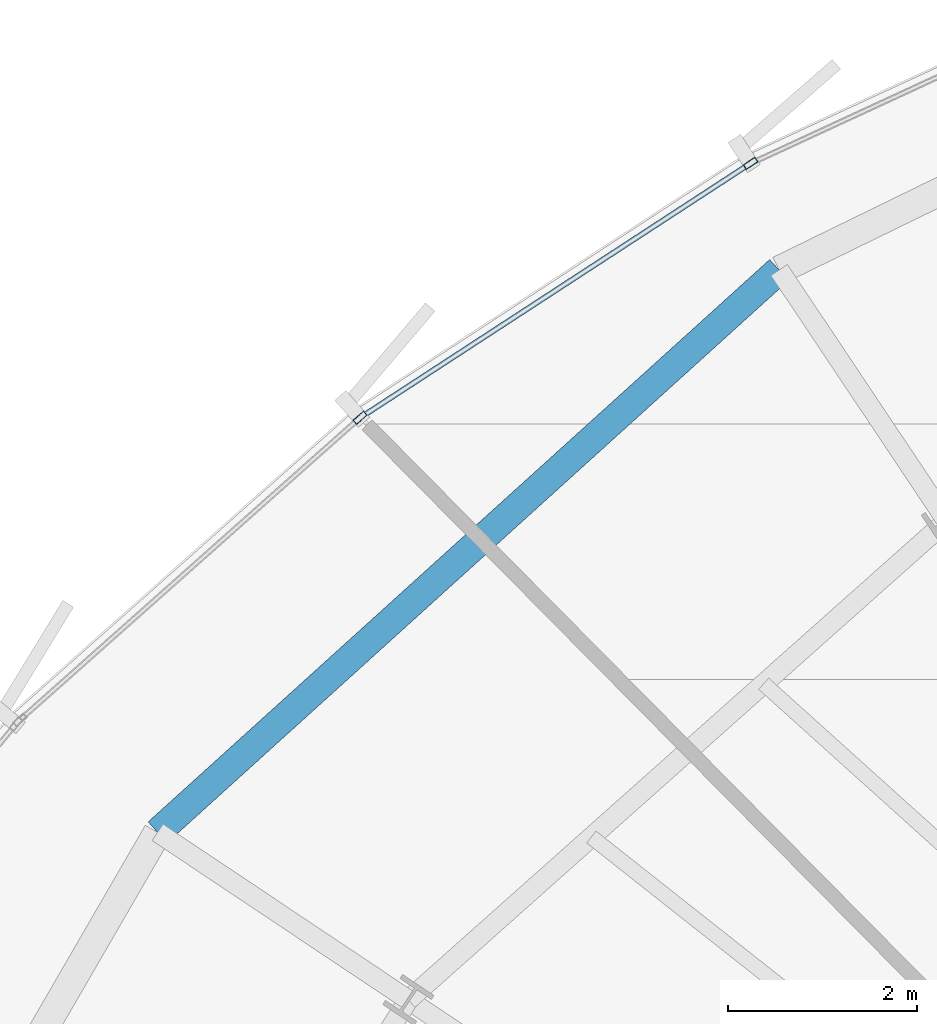
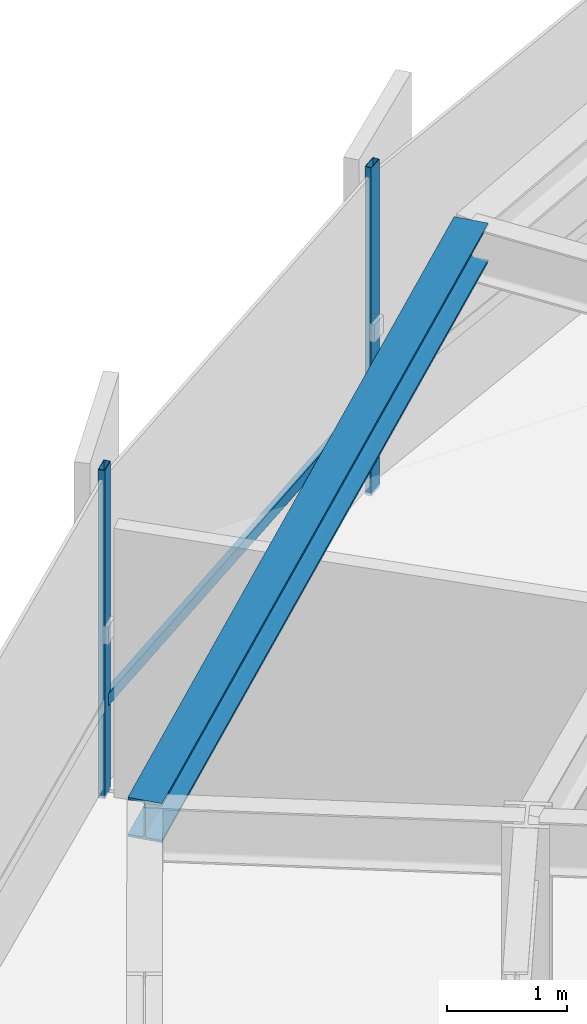
# One storey, part 19 of 33: 3 members, 1 beam, 1 element without a shape of its own.
"""IFC4 building model written with IfcOpenShell, lengths in metres."""

from ifc_helpers import new_model, si_unit, direction, frame, origin, origin_2d, place, context, subcontext, project, spatial, hollow_rectangle, i_section, extrude, source, transform, mapped, material, layer, layer_set, material_profile, profile_set, type_object, element, aggregate, save


model = new_model("IFC4")

# Units and contexts
model_context = context("Model", 3, precision=1e-05, world=origin(), true_north=direction((0.0, 1.0)))
body_context = subcontext(model_context, "Body", "Model", "MODEL_VIEW")
ifc_project = project(units=[si_unit("LENGTHUNIT", "METRE"), si_unit("AREAUNIT", "SQUARE_METRE"), si_unit("VOLUMEUNIT", "CUBIC_METRE"), si_unit("PLANEANGLEUNIT", "RADIAN"), si_unit("MASSUNIT", "GRAM", prefix="KILO"), si_unit("THERMODYNAMICTEMPERATUREUNIT", "KELVIN")], contexts=[model_context])

# Site, building, storey
site_placement = place(None, origin())
site = spatial("IfcSite", under=ifc_project, at=site_placement, CompositionType="ELEMENT")
building_placement = place(site_placement, origin())
building = spatial("IfcBuilding", under=site, at=building_placement, Name="Kethvar Cultural Tower", CompositionType="ELEMENT")
storey_placement = place(building_placement, frame((0.0, 0.0, 118.0)))
storey = spatial("IfcBuildingStorey", under=building, at=storey_placement, Name="L29", CompositionType="ELEMENT", Elevation=118.0)

# Beam
ifc_material_1 = material(Name="Steel S355J2", Category="steel")
ifc_material_profile_1 = material_profile(ifc_material_1, i_section(OverallWidth=0.300048828125, OverallDepth=0.39990234375, WebThickness=0.013427734375, FlangeThickness=0.02392578125, FilletRadius=0.027099609375, at=origin_2d()), Name="Steel S355J2 — HEB400")
ifc_profile_set_1 = profile_set([ifc_material_profile_1], Name="Steel S355J2 — HEB400")
beam_type = type_object("IfcBeamType", Name="BM-SP400", PredefinedType="SPANDREL", material=ifc_profile_set_1)
shared_shape_1 = source(origin(), body_context, "Body", "SweptSolid", [
    extrude(i_section(OverallWidth=0.300048828125, OverallDepth=0.39990234375, WebThickness=0.013427734375, FlangeThickness=0.02392578125, FilletRadius=0.027099609375, at=origin_2d()), origin(), (0.0, 0.0, 1.0), 8.892822265625),
])
beam_placement = place(storey_placement, frame((34.27978515625, 46.5380859375, 3.14794921875), z_axis=(-0.741556591679, -0.670890319901, 0.0), x_axis=(0.670890319901, -0.741556591679, 0.0)))
element("IfcBeam", 1, at=beam_placement, inside=storey, type_object=beam_type, Name="L29 Perimeter Spandrel Beam SP-06", PredefinedType="SPANDREL", context=body_context, shape_type="MappedRepresentation", body=[
    mapped(shared_shape_1, transform((0.0, 0.0, 0.0), scale=1.0)),
])

# Curtain wall, members
ifc_material_2 = material(Name="Aluminium 6063-T6", Category="aluminium")
ifc_layer = layer(ifc_material_2, 0.179931640625, Name="Aluminium 6063-T6", Category="aluminium")
ifc_layer_set = layer_set([ifc_layer], Name="Aluminium 6063-T6 (180 mm)")
curtain_wall_type = type_object("IfcCurtainWallType", Name="CW-SYS-03-Z2", PredefinedType="NOTDEFINED", material=ifc_layer_set)
curtain_wall_placement = place(storey_placement, origin())
curtain_wall = element("IfcCurtainWall", 2, at=curtain_wall_placement, inside=storey, type_object=curtain_wall_type, Name="L29 Curtain Wall Run 02", PredefinedType="NOTDEFINED")
ifc_material_profile_2 = material_profile(ifc_material_2, hollow_rectangle(XDim=0.06005859375, YDim=0.14990234375, WallThickness=0.0048828125, at=origin_2d()), Name="Aluminium 6063-T6 — RHS150x60x5")
ifc_profile_set_2 = profile_set([ifc_material_profile_2], Name="Aluminium 6063-T6 — RHS150x60x5")
member_type_1 = type_object("IfcMemberType", Name="CW-SYS-03-Z2-MUL", PredefinedType="MULLION", material=ifc_profile_set_2)
shared_shape_2 = source(origin(), body_context, "Body", "SweptSolid", [
    extrude(hollow_rectangle(XDim=0.06005859375, YDim=0.14990234375, WallThickness=0.0048828125, at=origin_2d()), origin(), (0.0, 0.0, 1.0), 3.35009765625),
])
member_1_placement = place(storey_placement, frame((33.976318359375, 47.669921875, 0.0), z_axis=(0.0, 0.0, 1.0), x_axis=(0.545941120503, -0.837823545231, 0.0)))
member_1 = element("IfcMember", 3, at=member_1_placement, type_object=member_type_1, Name="CW-L29-R02 Mullion 5", PredefinedType="MULLION", context=body_context, shape_type="MappedRepresentation", body=[
    mapped(shared_shape_2, transform((0.0, 0.0, 0.0), scale=1.0)),
])
member_2_placement = place(storey_placement, frame((29.833740234375, 44.9716796875, 0.0), z_axis=(0.0, 0.0, 1.0), x_axis=(0.664187202975, -0.747566290977, 0.0)))
member_2 = element("IfcMember", 4, at=member_2_placement, type_object=member_type_1, Name="CW-L29-R02 Mullion 6", PredefinedType="MULLION", context=body_context, shape_type="MappedRepresentation", body=[
    mapped(shared_shape_2, transform((0.0, 0.0, 0.0), scale=1.0)),
])
ifc_material_profile_3 = material_profile(ifc_material_2, hollow_rectangle(XDim=0.054931640625, YDim=0.1201171875, WallThickness=0.00390625, at=origin_2d()), Name="Aluminium 6063-T6 — RHS120x55x4")
ifc_profile_set_3 = profile_set([ifc_material_profile_3], Name="Aluminium 6063-T6 — RHS120x55x4")
member_type_2 = type_object("IfcMemberType", Name="CW-SYS-03-Z2-TRN", PredefinedType="USERDEFINED", material=ifc_profile_set_3)
shared_shape_3 = source(origin(), body_context, "Body", "SweptSolid", [
    extrude(hollow_rectangle(XDim=0.054931640625, YDim=0.1201171875, WallThickness=0.00390625, at=origin_2d()), origin(), (0.0, 0.0, 1.0), 4.87451171875),
])
member_3_placement = place(storey_placement, frame((33.940185546875, 47.646240234375, 0.949951171875), z_axis=(-0.837829736363, -0.545931619222, 0.0), x_axis=(0.545931619222, -0.837829736363, 0.0)))
member_3 = element("IfcMember", 5, at=member_3_placement, type_object=member_type_2, Name="CW-L29-R02 Transom 5", ObjectType="TRANSOM", PredefinedType="USERDEFINED", context=body_context, shape_type="MappedRepresentation", body=[
    mapped(shared_shape_3, transform((0.0, 0.0, 0.0), scale=1.0)),
])
aggregate(curtain_wall, [member_1, member_2, member_3])

save(model, "model.ifc")
